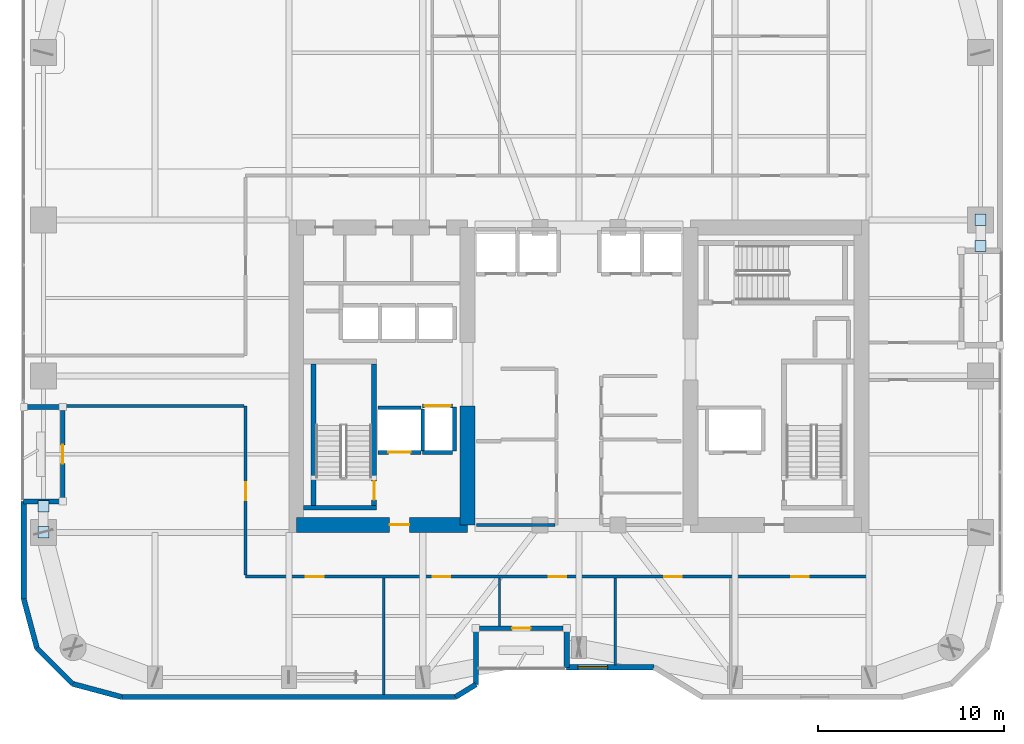
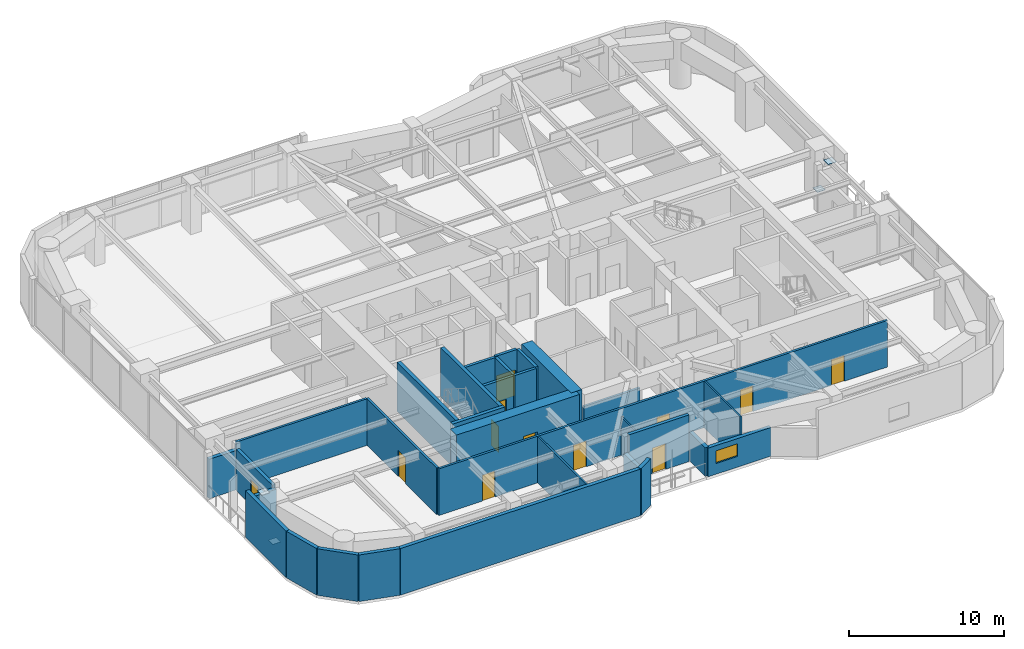
# One storey, part 24 of 30: 31 walls, 12 doors, 4 plates, 1 window, 13 openings.
"""IFC4 building model written with IfcOpenShell, lengths in metres."""

from ifc_helpers import new_model, si_unit, direction, frame, frame_2d, origin, origin_2d, place, context, subcontext, project, spatial, rectangle, extrude, material, layer, layer_set, type_object, element, fill, save


model = new_model("IFC4")

# Units and contexts
model_context = context("Model", 3, precision=1e-05, world=origin(), true_north=direction((0.0, 1.0)))
body_context = subcontext(model_context, "Body", "Model", "MODEL_VIEW")
ifc_project = project(units=[si_unit("LENGTHUNIT", "METRE"), si_unit("AREAUNIT", "SQUARE_METRE"), si_unit("VOLUMEUNIT", "CUBIC_METRE"), si_unit("PLANEANGLEUNIT", "RADIAN"), si_unit("MASSUNIT", "GRAM", prefix="KILO")], contexts=[model_context])

# Site, building, storey
site_placement = place(None, origin())
site = spatial("IfcSite", under=ifc_project, at=site_placement, CompositionType="ELEMENT")
building_placement = place(site_placement, origin())
building = spatial("IfcBuilding", under=site, at=building_placement, Name="Kiyonajd Concourse Tower", CompositionType="ELEMENT")
storey_placement = place(building_placement, frame((0.0, 0.0, 154.5)))
storey = spatial("IfcBuildingStorey", under=building, at=storey_placement, Name="L39", CompositionType="ELEMENT", Elevation=154.5)

# Plates
ifc_material_1 = material(Name="Steel ASTM A572 Grade 50", Category="steel")
ifc_layer_1 = layer(ifc_material_1, 0.028076171875)
ifc_layer_set_1 = layer_set([ifc_layer_1], Name="Steel ASTM A572 Grade 50")
plate_type = type_object("IfcPlateType", Name="PL-CAP-450", PredefinedType="USERDEFINED", material=ifc_layer_set_1)
for number, where, z_axis, x_axis, name in (
    (1, (19.199951171875, 27.595458984375, 0.27587890625), (0.0, 0.0, 1.0), (1.0, 0.0, 0.0), "L39 Hollow Brace End Cap Plate PBW"),
    (2, (19.199951171875, 29.004638671875, 3.326171875), (0.0, 0.0, 1.0), (1.0, 0.0, 0.0), "L39 Hollow Brace Top Cap Plate PBW"),
    (3, (69.60009765625, 44.404541015625, 0.27587890625), (0.0, 0.0, 1.0), (1.0, 0.0, 0.0), "L39 Hollow Brace End Cap Plate PBE"),
    (4, (69.60009765625, 42.995361328125, 3.326171875), (0.0, 0.0, 1.0), (1.0, 0.0, 0.0), "L39 Hollow Brace Top Cap Plate PBE"),
):
    element("IfcPlate", number, at=place(storey_placement, frame(where, z_axis=z_axis, x_axis=x_axis)), inside=storey, type_object=plate_type, Name=name, ObjectType="CAP PLATE", PredefinedType="USERDEFINED", context=body_context, shape_type="SweptSolid", body=[
        extrude(rectangle(XDim=0.60791015625, YDim=0.60791015625, at=origin_2d()), origin(), (0.0, 0.0, 1.0), 0.028076171875),
    ])

# Wall
ifc_material_2 = material(Name="Concrete C70/85", Category="concrete")
ifc_layer_2 = layer(ifc_material_2, 0.800048828125)
ifc_layer_set_2 = layer_set([ifc_layer_2], Name="Concrete C70/85")
wall_type_1 = type_object("IfcWallType", Name="WL-CORE-800", PredefinedType="SHEAR", material=ifc_layer_set_2)
wall_1_placement = place(storey_placement, frame((42.0, 28.0, 0.0), z_axis=(0.0, 0.0, 1.0), x_axis=(0.0, 1.0, 0.0)))
element("IfcWall", 5, at=wall_1_placement, inside=storey, type_object=wall_type_1, Name="L39 West Core Inner South Shear Wall", PredefinedType="SHEAR", context=body_context, shape_type="SweptSolid", body=[
    extrude(rectangle(XDim=6.39990234375, YDim=0.800048828125, at=frame_2d((3.199951171875, 0.0))), origin(), (0.0, 0.0, 1.0), 3.89990234375),
])

# Wall, opening, door
wall_2_placement = place(storey_placement, frame((32.800048828125, 28.0, 0.0), z_axis=(0.0, 0.0, 1.0), x_axis=(1.0, 0.0, 0.0)))
wall_2 = element("IfcWall", 6, at=wall_2_placement, inside=storey, type_object=wall_type_1, Name="L39 West Core South Shear Wall", PredefinedType="SHEAR", context=body_context, shape_type="SweptSolid", body=[
    extrude(rectangle(XDim=9.199951171875, YDim=0.800048828125, at=frame_2d((4.60009765625, 0.0))), origin(), (0.0, 0.0, 1.0), 3.89990234375),
])
opening_1_placement = place(wall_2_placement, frame((5.02490234375, 0.0, 0.0)))
opening_1 = element("IfcOpeningElement", 7, at=opening_1_placement, cuts=wall_2, Name="Opening DF5", PredefinedType="OPENING", context=body_context, shape_type="SweptSolid", body=[
    extrude(rectangle(XDim=1.050048828125, YDim=2.0400390625, at=frame_2d((0.52490234375, 1.02001953125))), frame((0.0, 0.409912109375, 0.0), z_axis=(0.0, -1.0, 0.0), x_axis=(1.0, 0.0, 0.0)), (0.0, 0.0, 1.0), 0.820068359375),
])
ifc_material_3 = material(Name="Brushed Stainless Steel Cab Assembly", Category="steel")
door_type_1 = type_object("IfcDoorType", Name="DR-FD45-1050", OperationType="NOTDEFINED", PredefinedType="DOOR", material=ifc_material_3)
door_1_placement = place(opening_1_placement, origin())
door_1 = element("IfcDoor", 8, at=door_1_placement, inside=storey, type_object=door_type_1, Name="L39 Firefighting Lift Lobby W Smoke Door", OperationType="SINGLE_SWING_LEFT", OverallHeight=2.0400390625, OverallWidth=1.050048828125, PredefinedType="DOOR", context=body_context, shape_type="SweptSolid", body=[
    extrude(rectangle(XDim=1.050048828125, YDim=2.0400390625, at=frame_2d((0.52490234375, 1.02001953125))), frame((0.0, 0.02490234375, 0.0), z_axis=(0.0, -1.0, 0.0), x_axis=(1.0, 0.0, 0.0)), (0.0, 0.0, 1.0), 0.050048828125),
])
fill(opening_1, door_1)

# Walls
ifc_material_4 = material(Name="Precast concrete C50/60", Category="concrete")
ifc_layer_3 = layer(ifc_material_4, 0.280029296875)
ifc_layer_set_3 = layer_set([ifc_layer_3], Name="Precast concrete C50/60")
wall_type_2 = type_object("IfcWallType", Name="WL-EXT-280", PredefinedType="SOLIDWALL", material=ifc_layer_set_3)
wall_3_placement = place(storey_placement, frame((18.848388671875, 21.37255859375, 0.0), z_axis=(0.0, 0.0, 1.0), x_axis=(-0.258672222976, 0.9659651552, 0.0)))
element("IfcWall", 9, at=wall_3_placement, inside=storey, type_object=wall_type_2, Name="L39 Exterior Concrete Frame Wall 00", PredefinedType="SOLIDWALL", context=body_context, shape_type="SweptSolid", body=[
    extrude(rectangle(XDim=2.739013671875, YDim=0.280029296875, at=frame_2d((1.36962890625, 0.0))), origin(), (0.0, 0.0, 1.0), 3.679931640625),
])
wall_4_placement = place(storey_placement, frame((18.139892578125, 24.018310546875, 0.0), z_axis=(0.0, 0.0, 1.0), x_axis=(0.0, 1.0, 0.0)))
element("IfcWall", 10, at=wall_4_placement, inside=storey, type_object=wall_type_2, Name="L39 Exterior Concrete Frame Wall 01", PredefinedType="SOLIDWALL", context=body_context, shape_type="SweptSolid", body=[
    extrude(rectangle(XDim=5.24169921875, YDim=0.280029296875, at=frame_2d((2.620849609375, 0.0))), origin(), (0.0, 0.0, 1.0), 3.679931640625),
])
for number, where, z_axis, x_axis, name in (
    (11, (18.139892578125, 29.260009765625, 0.0), (0.0, 0.0, 1.0), (1.0, 0.0, 0.0), "L39 Exterior Concrete Frame Wall 02"),
    (12, (20.239990234375, 34.340087890625, 0.0), (0.0, 0.0, 1.0), (-1.0, 0.0, 0.0), "L39 Exterior Concrete Frame Wall 04"),
):
    element("IfcWall", number, at=place(storey_placement, frame(where, z_axis=z_axis, x_axis=x_axis)), inside=storey, type_object=wall_type_2, Name=name, PredefinedType="SOLIDWALL", context=body_context, shape_type="SweptSolid", body=[
        extrude(rectangle(XDim=2.10009765625, YDim=0.280029296875, at=frame_2d((1.050048828125, 0.0))), origin(), (0.0, 0.0, 1.0), 3.115966796875),
    ])

# Wall, opening, window
wall_5_placement = place(storey_placement, frame((52.03955078125, 20.340087890625, 0.0), z_axis=(0.0, 0.0, 1.0), x_axis=(-1.0, 0.0, 0.0)))
wall_5 = element("IfcWall", 13, at=wall_5_placement, inside=storey, type_object=wall_type_2, Name="L39 Exterior Concrete Frame Wall 30", PredefinedType="SOLIDWALL", context=body_context, shape_type="SweptSolid", body=[
    extrude(rectangle(XDim=4.699462890625, YDim=0.280029296875, at=frame_2d((2.349609375, 0.0))), origin(), (0.0, 0.0, 1.0), 2.264892578125),
])
opening_2_placement = place(wall_5_placement, frame((2.5, 0.0, 0.85009765625)))
opening_2 = element("IfcOpeningElement", 14, at=opening_2_placement, cuts=wall_5, Name="Opening WN6", PredefinedType="OPENING", context=body_context, shape_type="SweptSolid", body=[
    extrude(rectangle(XDim=1.60009765625, YDim=1.0, at=frame_2d((0.800048828125, 0.5))), frame((0.0, 0.14990234375, 0.0), z_axis=(0.0, -1.0, 0.0), x_axis=(1.0, 0.0, 0.0)), (0.0, 0.0, 1.0), 0.300048828125),
])
ifc_material_5 = material(Name="Double Low-E Insulated Glass", Category="glass")
window_type = type_object("IfcWindowType", Name="WN-VIS-1600x1000", PartitioningType="SINGLE_PANEL", PredefinedType="WINDOW", material=ifc_material_5)
window_placement = place(opening_2_placement, origin())
window = element("IfcWindow", 15, at=window_placement, inside=storey, type_object=window_type, Name="L39 Modular Facade Vision Window 30", OverallHeight=1.0, OverallWidth=1.60009765625, PartitioningType="SINGLE_PANEL", PredefinedType="WINDOW", context=body_context, shape_type="SweptSolid", body=[
    extrude(rectangle(XDim=1.60009765625, YDim=1.0, at=frame_2d((0.800048828125, 0.5))), frame((0.0, 0.030029296875, 0.0), z_axis=(0.0, -1.0, 0.0), x_axis=(1.0, 0.0, 0.0)), (0.0, 0.0, 1.0), 0.06005859375),
])
fill(opening_2, window)

# Walls
wall_6_placement = place(storey_placement, frame((47.340087890625, 20.340087890625, 0.0), z_axis=(0.0, 0.0, 1.0), x_axis=(0.0, 1.0, 0.0)))
element("IfcWall", 16, at=wall_6_placement, inside=storey, type_object=wall_type_2, Name="L39 Exterior Concrete Frame Wall 31", PredefinedType="SOLIDWALL", context=body_context, shape_type="SweptSolid", body=[
    extrude(rectangle(XDim=2.099853515625, YDim=0.280029296875, at=frame_2d((1.0498046875, 0.0))), origin(), (0.0, 0.0, 1.0), 2.264892578125),
])
wall_7_placement = place(storey_placement, frame((42.4599609375, 22.43994140625, 0.0), z_axis=(0.0, 0.0, 1.0), x_axis=(0.0, -1.0, 0.0)))
element("IfcWall", 17, at=wall_7_placement, inside=storey, type_object=wall_type_2, Name="L39 Exterior Concrete Frame Wall 33", PredefinedType="SOLIDWALL", context=body_context, shape_type="SweptSolid", body=[
    extrude(rectangle(XDim=3.023681640625, YDim=0.280029296875, at=frame_2d((1.51171875, 0.0))), origin(), (0.0, 0.0, 1.0), 2.264892578125),
])
wall_8_placement = place(storey_placement, frame((42.4599609375, 19.416259765625, 0.0), z_axis=(0.0, 0.0, 1.0), x_axis=(-0.851801140441, -0.523865266212, 0.0)))
element("IfcWall", 18, at=wall_8_placement, inside=storey, type_object=wall_type_2, Name="L39 Exterior Concrete Frame Wall 34", PredefinedType="SOLIDWALL", context=body_context, shape_type="SweptSolid", body=[
    extrude(rectangle(XDim=1.291015625, YDim=0.280029296875, at=frame_2d((0.6455078125, 0.0))), origin(), (0.0, 0.0, 1.0), 3.679931640625),
])
wall_9_placement = place(storey_placement, frame((41.3603515625, 18.739990234375, 0.0), z_axis=(0.0, 0.0, 1.0), x_axis=(-1.0, 0.0, 0.0)))
element("IfcWall", 19, at=wall_9_placement, inside=storey, type_object=wall_type_2, Name="L39 Exterior Concrete Frame Wall 35", PredefinedType="SOLIDWALL", context=body_context, shape_type="SweptSolid", body=[
    extrude(rectangle(XDim=17.94189453125, YDim=0.280029296875, at=frame_2d((8.970947265625, 0.0))), origin(), (0.0, 0.0, 1.0), 3.679931640625),
])
wall_10_placement = place(storey_placement, frame((23.41845703125, 18.739990234375, 0.0), z_axis=(0.0, 0.0, 1.0), x_axis=(-0.965971118627, 0.258649952598, 0.0)))
element("IfcWall", 20, at=wall_10_placement, inside=storey, type_object=wall_type_2, Name="L39 Exterior Concrete Frame Wall 36", PredefinedType="SOLIDWALL", context=body_context, shape_type="SweptSolid", body=[
    extrude(rectangle(XDim=2.7392578125, YDim=0.280029296875, at=frame_2d((1.36962890625, 0.0))), origin(), (0.0, 0.0, 1.0), 3.679931640625),
])
wall_11_placement = place(storey_placement, frame((20.7724609375, 19.448486328125, 0.0), z_axis=(0.0, 0.0, 1.0), x_axis=(-0.707106781187, 0.707106781187, 0.0)))
element("IfcWall", 21, at=wall_11_placement, inside=storey, type_object=wall_type_2, Name="L39 Exterior Concrete Frame Wall 37", PredefinedType="SOLIDWALL", context=body_context, shape_type="SweptSolid", body=[
    extrude(rectangle(XDim=2.720947265625, YDim=0.280029296875, at=frame_2d((1.3603515625, 0.0))), origin(), (0.0, 0.0, 1.0), 3.679931640625),
])

# Wall, opening, door
ifc_layer_4 = layer(ifc_material_4, 0.239990234375)
ifc_layer_set_4 = layer_set([ifc_layer_4], Name="Precast concrete C50/60")
wall_type_3 = type_object("IfcWallType", Name="WL-LOG-240", PredefinedType="SOLIDWALL", material=ifc_layer_set_4)
wall_12_placement = place(storey_placement, frame((20.239990234375, 29.455078125, 0.0), z_axis=(0.0, 0.0, 1.0), x_axis=(0.0, 1.0, 0.0)))
wall_12 = element("IfcWall", 22, at=wall_12_placement, inside=storey, type_object=wall_type_3, Name="L39 Recessed Loggia Thermal Wall LOG-W", PredefinedType="SOLIDWALL", context=body_context, shape_type="SweptSolid", body=[
    extrude(rectangle(XDim=4.68994140625, YDim=0.239990234375, at=frame_2d((2.344970703125, 0.0))), origin(), (0.0, 0.0, 1.0), 3.248046875),
])
opening_3_placement = place(wall_12_placement, frame((1.844970703125, 0.0, 0.0)))
opening_3 = element("IfcOpeningElement", 23, at=opening_3_placement, cuts=wall_12, Name="Opening DL1", PredefinedType="OPENING", context=body_context, shape_type="SweptSolid", body=[
    extrude(rectangle(XDim=1.0, YDim=2.02001953125, at=frame_2d((0.5, 1.010009765625))), frame((0.0, 0.1298828125, 0.0), z_axis=(0.0, -1.0, 0.0), x_axis=(1.0, 0.0, 0.0)), (0.0, 0.0, 1.0), 0.260009765625),
])
ifc_material_6 = material(Name="Thermally Broken Anodised Aluminium", Category="aluminium")
door_type_2 = type_object("IfcDoorType", Name="DR-LOG-1000", OperationType="NOTDEFINED", PredefinedType="DOOR", material=ifc_material_6)
door_2_placement = place(opening_3_placement, origin())
door_2 = element("IfcDoor", 24, at=door_2_placement, inside=storey, type_object=door_type_2, Name="L39 Engawa Loggia Access Door LOG-W", OperationType="SINGLE_SWING_LEFT", OverallHeight=2.02001953125, OverallWidth=1.0, PredefinedType="DOOR", context=body_context, shape_type="SweptSolid", body=[
    extrude(rectangle(XDim=1.0, YDim=2.02001953125, at=frame_2d((0.5, 1.010009765625))), frame((0.0, 0.02490234375, 0.0), z_axis=(0.0, -1.0, 0.0), x_axis=(1.0, 0.0, 0.0)), (0.0, 0.0, 1.0), 0.050048828125),
])
fill(opening_3, door_2)

wall_13_placement = place(storey_placement, frame((47.14501953125, 22.43994140625, 0.0), z_axis=(0.0, 0.0, 1.0), x_axis=(-1.0, 0.0, 0.0)))
wall_13 = element("IfcWall", 25, at=wall_13_placement, inside=storey, type_object=wall_type_3, Name="L39 Recessed Loggia Thermal Wall LOG-S", PredefinedType="SOLIDWALL", context=body_context, shape_type="SweptSolid", body=[
    extrude(rectangle(XDim=4.489990234375, YDim=0.239990234375, at=frame_2d((2.2451171875, 0.0))), origin(), (0.0, 0.0, 1.0), 3.679931640625),
])
opening_4_placement = place(wall_13_placement, frame((1.7451171875, 0.0, 0.0)))
opening_4 = element("IfcOpeningElement", 26, at=opening_4_placement, cuts=wall_13, Name="Opening DL1", PredefinedType="OPENING", context=body_context, shape_type="SweptSolid", body=[
    extrude(rectangle(XDim=1.0, YDim=2.02001953125, at=frame_2d((0.5, 1.010009765625))), frame((0.0, 0.1298828125, 0.0), z_axis=(0.0, -1.0, 0.0), x_axis=(1.0, 0.0, 0.0)), (0.0, 0.0, 1.0), 0.260009765625),
])
door_3_placement = place(opening_4_placement, origin())
door_3 = element("IfcDoor", 27, at=door_3_placement, inside=storey, type_object=door_type_2, Name="L39 Engawa Loggia Access Door LOG-S", OperationType="SINGLE_SWING_RIGHT", OverallHeight=2.02001953125, OverallWidth=1.0, PredefinedType="DOOR", context=body_context, shape_type="SweptSolid", body=[
    extrude(rectangle(XDim=1.0, YDim=2.02001953125, at=frame_2d((0.5, 1.010009765625))), frame((0.0, 0.02490234375, 0.0), z_axis=(0.0, -1.0, 0.0), x_axis=(1.0, 0.0, 0.0)), (0.0, 0.0, 1.0), 0.050048828125),
])
fill(opening_4, door_3)

# Walls
ifc_material_7 = material(Name="Gypsum Board on Cold-Formed Steel Stud", Category="steel")
ifc_layer_5 = layer(ifc_material_7, 0.125)
ifc_layer_set_5 = layer_set([ifc_layer_5], Name="Gypsum Board on Cold-Formed Steel Stud")
wall_type_4 = type_object("IfcWallType", Name="WL-PART-125", PredefinedType="PARTITIONING", material=ifc_layer_set_5)
wall_14_placement = place(storey_placement, frame((37.5, 18.875, 0.0), z_axis=(0.0, 0.0, 1.0), x_axis=(0.0, 1.0, 0.0)))
element("IfcWall", 28, at=wall_14_placement, inside=storey, type_object=wall_type_4, Name="L39 Interior Partition Wall", PredefinedType="PARTITIONING", context=body_context, shape_type="SweptSolid", body=[
    extrude(rectangle(XDim=6.258056640625, YDim=0.125, at=frame_2d((3.12890625, 0.0))), origin(), (0.0, 0.0, 1.0), 3.679931640625),
])
wall_15_placement = place(storey_placement, frame((43.72998046875, 22.554931640625, 0.0), z_axis=(0.0, 0.0, 1.0), x_axis=(0.0, 1.0, 0.0)))
element("IfcWall", 29, at=wall_15_placement, inside=storey, type_object=wall_type_4, Name="L39 Interior Partition Wall", PredefinedType="PARTITIONING", context=body_context, shape_type="SweptSolid", body=[
    extrude(rectangle(XDim=2.578125, YDim=0.125, at=frame_2d((1.2890625, 0.0))), origin(), (0.0, 0.0, 1.0), 3.04296875),
])
wall_16_placement = place(storey_placement, frame((49.949951171875, 20.47509765625, 0.0), z_axis=(0.0, 0.0, 1.0), x_axis=(0.0, 1.0, 0.0)))
element("IfcWall", 30, at=wall_16_placement, inside=storey, type_object=wall_type_4, Name="L39 Interior Partition Wall", PredefinedType="PARTITIONING", context=body_context, shape_type="SweptSolid", body=[
    extrude(rectangle(XDim=4.657958984375, YDim=0.125, at=frame_2d((2.3291015625, 0.0))), origin(), (0.0, 0.0, 1.0), 3.679931640625),
])

# Wall, opening, door
ifc_layer_6 = layer(ifc_material_7, 0.2099609375)
ifc_layer_set_6 = layer_set([ifc_layer_6], Name="Gypsum Board on Cold-Formed Steel Stud")
wall_type_5 = type_object("IfcWallType", Name="WL-SHAFT-210", PredefinedType="PARTITIONING", material=ifc_layer_set_6)
wall_17_placement = place(storey_placement, frame((37.199951171875, 31.89990234375, 0.0), z_axis=(0.0, 0.0, 1.0), x_axis=(1.0, 0.0, 0.0)))
wall_17 = element("IfcWall", 31, at=wall_17_placement, inside=storey, type_object=wall_type_5, Name="L39 Shaft Enclosure Wall", PredefinedType="PARTITIONING", context=body_context, shape_type="SweptSolid", body=[
    extrude(rectangle(XDim=2.300048828125, YDim=0.2099609375, at=frame_2d((1.14990234375, 0.0))), origin(), (0.0, 0.0, 1.0), 3.679931640625),
])
opening_5_placement = place(wall_17_placement, frame((0.550048828125, 0.0, 0.0)))
opening_5 = element("IfcOpeningElement", 32, at=opening_5_placement, cuts=wall_17, Name="Opening LD2", PredefinedType="OPENING", context=body_context, shape_type="SweptSolid", body=[
    extrude(rectangle(XDim=1.199951171875, YDim=2.0400390625, at=frame_2d((0.60009765625, 1.02001953125))), frame((0.0, 0.114990234375, 0.0), z_axis=(0.0, -1.0, 0.0), x_axis=(1.0, 0.0, 0.0)), (0.0, 0.0, 1.0), 0.22998046875),
])
door_type_3 = type_object("IfcDoorType", Name="DR-LD-1200", OperationType="DOUBLE_DOOR_SLIDING", PredefinedType="DOOR", material=ifc_material_3)
door_4_placement = place(opening_5_placement, origin())
door_4 = element("IfcDoor", 33, at=door_4_placement, inside=storey, type_object=door_type_3, Name="L39 Lift FFL1 Sliding Landing Door", OperationType="DOUBLE_DOOR_SLIDING", OverallHeight=2.0400390625, OverallWidth=1.199951171875, PredefinedType="DOOR", context=body_context, shape_type="SweptSolid", body=[
    extrude(rectangle(XDim=1.199951171875, YDim=2.0400390625, at=frame_2d((0.60009765625, 1.02001953125))), frame((0.0, 0.02490234375, 0.0), z_axis=(0.0, -1.0, 0.0), x_axis=(1.0, 0.0, 0.0)), (0.0, 0.0, 1.0), 0.050048828125),
])
fill(opening_5, door_4)

# Walls
wall_18_placement = place(storey_placement, frame((37.199951171875, 34.300048828125, 0.0), z_axis=(0.0, 0.0, 1.0), x_axis=(1.0, 0.0, 0.0)))
element("IfcWall", 34, at=wall_18_placement, inside=storey, type_object=wall_type_5, Name="L39 Shaft Enclosure Wall", PredefinedType="PARTITIONING", context=body_context, shape_type="SweptSolid", body=[
    extrude(rectangle(XDim=2.300048828125, YDim=0.2099609375, at=frame_2d((1.14990234375, 0.0))), origin(), (0.0, 0.0, 1.0), 3.679931640625),
])
wall_19_placement = place(storey_placement, frame((39.60009765625, 31.9599609375, 0.0), z_axis=(0.0, 0.0, 1.0), x_axis=(0.0, 1.0, 0.0)))
element("IfcWall", 35, at=wall_19_placement, inside=storey, type_object=wall_type_5, Name="L39 Shaft Enclosure Wall", PredefinedType="PARTITIONING", context=body_context, shape_type="SweptSolid", body=[
    extrude(rectangle(XDim=2.280029296875, YDim=0.2099609375, at=frame_2d((1.14013671875, 0.0))), origin(), (0.0, 0.0, 1.0), 3.679931640625),
])

# Wall, opening, door
wall_20_placement = place(storey_placement, frame((39.60009765625, 34.39990234375, 0.0), z_axis=(0.0, 0.0, 1.0), x_axis=(1.0, 0.0, 0.0)))
wall_20 = element("IfcWall", 36, at=wall_20_placement, inside=storey, type_object=wall_type_5, Name="L39 Shaft Enclosure Wall", PredefinedType="PARTITIONING", context=body_context, shape_type="SweptSolid", body=[
    extrude(rectangle(XDim=1.599853515625, YDim=0.2099609375, at=frame_2d((0.7998046875, 0.0))), origin(), (0.0, 0.0, 1.0), 3.679931640625),
])
opening_6_placement = place(wall_20_placement, frame((0.10009765625, 0.0, 0.0)))
opening_6 = element("IfcOpeningElement", 37, at=opening_6_placement, cuts=wall_20, Name="Opening LD3", PredefinedType="OPENING", context=body_context, shape_type="SweptSolid", body=[
    extrude(rectangle(XDim=1.39990234375, YDim=2.06005859375, at=frame_2d((0.699951171875, 1.030029296875))), frame((0.0, 0.114990234375, 0.0), z_axis=(0.0, -1.0, 0.0), x_axis=(1.0, 0.0, 0.0)), (0.0, 0.0, 1.0), 0.22998046875),
])
door_type_4 = type_object("IfcDoorType", Name="DR-LD-1400", OperationType="DOUBLE_DOOR_SLIDING", PredefinedType="DOOR", material=ifc_material_3)
door_5_placement = place(opening_6_placement, origin())
door_5 = element("IfcDoor", 38, at=door_5_placement, inside=storey, type_object=door_type_4, Name="L39 Lift SVL1 Sliding Landing Door", OperationType="DOUBLE_DOOR_SLIDING", OverallHeight=2.06005859375, OverallWidth=1.39990234375, PredefinedType="DOOR", context=body_context, shape_type="SweptSolid", body=[
    extrude(rectangle(XDim=1.39990234375, YDim=2.06005859375, at=frame_2d((0.699951171875, 1.030029296875))), frame((0.0, 0.02490234375, 0.0), z_axis=(0.0, -1.0, 0.0), x_axis=(1.0, 0.0, 0.0)), (0.0, 0.0, 1.0), 0.050048828125),
])
fill(opening_6, door_5)

# Walls
wall_21_placement = place(storey_placement, frame((39.60009765625, 31.89990234375, 0.0), z_axis=(0.0, 0.0, 1.0), x_axis=(1.0, 0.0, 0.0)))
element("IfcWall", 39, at=wall_21_placement, inside=storey, type_object=wall_type_5, Name="L39 Shaft Enclosure Wall", PredefinedType="PARTITIONING", context=body_context, shape_type="SweptSolid", body=[
    extrude(rectangle(XDim=1.599853515625, YDim=0.2099609375, at=frame_2d((0.7998046875, 0.0))), origin(), (0.0, 0.0, 1.0), 3.679931640625),
])
wall_22_placement = place(storey_placement, frame((41.300048828125, 31.9599609375, 0.0), z_axis=(0.0, 0.0, 1.0), x_axis=(0.0, 1.0, 0.0)))
element("IfcWall", 40, at=wall_22_placement, inside=storey, type_object=wall_type_5, Name="L39 Shaft Enclosure Wall", PredefinedType="PARTITIONING", context=body_context, shape_type="SweptSolid", body=[
    extrude(rectangle(XDim=2.380126953125, YDim=0.2099609375, at=frame_2d((1.18994140625, 0.0))), origin(), (0.0, 0.0, 1.0), 3.679931640625),
])
ifc_layer_7 = layer(ifc_material_7, 0.169921875)
ifc_layer_set_7 = layer_set([ifc_layer_7], Name="Gypsum Board on Cold-Formed Steel Stud")
wall_type_6 = type_object("IfcWallType", Name="WL-SMK-170", PredefinedType="PARTITIONING", material=ifc_layer_set_7)
wall_23_placement = place(storey_placement, frame((42.5, 28.0, 0.0), z_axis=(0.0, 0.0, 1.0), x_axis=(1.0, 0.0, 0.0)))
element("IfcWall", 41, at=wall_23_placement, inside=storey, type_object=wall_type_6, Name="L39 Interior Partition Wall", PredefinedType="PARTITIONING", context=body_context, shape_type="SweptSolid", body=[
    extrude(rectangle(XDim=4.212890625, YDim=0.169921875, at=frame_2d((2.1064453125, 0.0))), origin(), (0.0, 0.0, 1.0), 2.56494140625),
])

# Wall, openings, doors
wall_24_placement = place(storey_placement, frame((30.074951171875, 25.219970703125, 0.0), z_axis=(0.0, 0.0, 1.0), x_axis=(1.0, 0.0, 0.0)))
wall_24 = element("IfcWall", 42, at=wall_24_placement, inside=storey, type_object=wall_type_6, Name="L39 Interior Partition Wall", PredefinedType="PARTITIONING", context=body_context, shape_type="SweptSolid", body=[
    extrude(rectangle(XDim=33.525146484375, YDim=0.169921875, at=frame_2d((16.7626953125, 0.0))), origin(), (0.0, 0.0, 1.0), 3.679931640625),
])
opening_7_placement = place(wall_24_placement, frame((3.238037109375, 0.0, 0.0)))
opening_7 = element("IfcOpeningElement", 43, at=opening_7_placement, cuts=wall_24, Name="Opening DI1", PredefinedType="OPENING", context=body_context, shape_type="SweptSolid", body=[
    extrude(rectangle(XDim=0.949951171875, YDim=2.0400390625, at=frame_2d((0.47509765625, 1.02001953125))), frame((0.0, 0.094970703125, 0.0), z_axis=(0.0, -1.0, 0.0), x_axis=(1.0, 0.0, 0.0)), (0.0, 0.0, 1.0), 0.18994140625),
])
opening_8_placement = place(wall_24_placement, frame((10.06494140625, 0.0, 0.0)))
opening_8 = element("IfcOpeningElement", 44, at=opening_8_placement, cuts=wall_24, Name="Opening DI1", PredefinedType="OPENING", context=body_context, shape_type="SweptSolid", body=[
    extrude(rectangle(XDim=0.949951171875, YDim=2.0400390625, at=frame_2d((0.47509765625, 1.02001953125))), frame((0.0, 0.094970703125, 0.0), z_axis=(0.0, -1.0, 0.0), x_axis=(1.0, 0.0, 0.0)), (0.0, 0.0, 1.0), 0.18994140625),
])
opening_9_placement = place(wall_24_placement, frame((16.2900390625, 0.0, 0.0)))
opening_9 = element("IfcOpeningElement", 45, at=opening_9_placement, cuts=wall_24, Name="Opening DI1", PredefinedType="OPENING", context=body_context, shape_type="SweptSolid", body=[
    extrude(rectangle(XDim=0.949951171875, YDim=2.0400390625, at=frame_2d((0.47509765625, 1.02001953125))), frame((0.0, 0.094970703125, 0.0), z_axis=(0.0, -1.0, 0.0), x_axis=(1.0, 0.0, 0.0)), (0.0, 0.0, 1.0), 0.18994140625),
])
opening_10_placement = place(wall_24_placement, frame((22.510009765625, 0.0, 0.0)))
opening_10 = element("IfcOpeningElement", 46, at=opening_10_placement, cuts=wall_24, Name="Opening DI1", PredefinedType="OPENING", context=body_context, shape_type="SweptSolid", body=[
    extrude(rectangle(XDim=0.949951171875, YDim=2.0400390625, at=frame_2d((0.47509765625, 1.02001953125))), frame((0.0, 0.094970703125, 0.0), z_axis=(0.0, -1.0, 0.0), x_axis=(1.0, 0.0, 0.0)), (0.0, 0.0, 1.0), 0.18994140625),
])
opening_11_placement = place(wall_24_placement, frame((29.3349609375, 0.0, 0.0)))
opening_11 = element("IfcOpeningElement", 47, at=opening_11_placement, cuts=wall_24, Name="Opening DI1", PredefinedType="OPENING", context=body_context, shape_type="SweptSolid", body=[
    extrude(rectangle(XDim=0.949951171875, YDim=2.0400390625, at=frame_2d((0.47509765625, 1.02001953125))), frame((0.0, 0.094970703125, 0.0), z_axis=(0.0, -1.0, 0.0), x_axis=(1.0, 0.0, 0.0)), (0.0, 0.0, 1.0), 0.18994140625),
])
ifc_material_8 = material(Name="Natural Oak Acoustic Timber Veneer", Category="wood")
door_type_5 = type_object("IfcDoorType", Name="DR-INT-950", OperationType="NOTDEFINED", PredefinedType="DOOR", material=ifc_material_8)
door_6_placement = place(opening_7_placement, origin())
door_6 = element("IfcDoor", 48, at=door_6_placement, inside=storey, type_object=door_type_5, Name="L39 Interior Door", OperationType="SINGLE_SWING_LEFT", OverallHeight=2.0400390625, OverallWidth=0.949951171875, PredefinedType="DOOR", context=body_context, shape_type="SweptSolid", body=[
    extrude(rectangle(XDim=0.949951171875, YDim=2.0400390625, at=frame_2d((0.47509765625, 1.02001953125))), frame((0.0, 0.02490234375, 0.0), z_axis=(0.0, -1.0, 0.0), x_axis=(1.0, 0.0, 0.0)), (0.0, 0.0, 1.0), 0.050048828125),
])
fill(opening_7, door_6)
door_7_placement = place(opening_8_placement, origin())
door_7 = element("IfcDoor", 49, at=door_7_placement, inside=storey, type_object=door_type_5, Name="L39 Interior Door", OperationType="SINGLE_SWING_RIGHT", OverallHeight=2.0400390625, OverallWidth=0.949951171875, PredefinedType="DOOR", context=body_context, shape_type="SweptSolid", body=[
    extrude(rectangle(XDim=0.949951171875, YDim=2.0400390625, at=frame_2d((0.47509765625, 1.02001953125))), frame((0.0, 0.02490234375, 0.0), z_axis=(0.0, -1.0, 0.0), x_axis=(1.0, 0.0, 0.0)), (0.0, 0.0, 1.0), 0.050048828125),
])
fill(opening_8, door_7)
door_8_placement = place(opening_9_placement, origin())
door_8 = element("IfcDoor", 50, at=door_8_placement, inside=storey, type_object=door_type_5, Name="L39 Interior Door", OperationType="SINGLE_SWING_LEFT", OverallHeight=2.0400390625, OverallWidth=0.949951171875, PredefinedType="DOOR", context=body_context, shape_type="SweptSolid", body=[
    extrude(rectangle(XDim=0.949951171875, YDim=2.0400390625, at=frame_2d((0.47509765625, 1.02001953125))), frame((0.0, 0.02490234375, 0.0), z_axis=(0.0, -1.0, 0.0), x_axis=(1.0, 0.0, 0.0)), (0.0, 0.0, 1.0), 0.050048828125),
])
fill(opening_9, door_8)
door_9_placement = place(opening_10_placement, origin())
door_9 = element("IfcDoor", 51, at=door_9_placement, inside=storey, type_object=door_type_5, Name="L39 Interior Door", OperationType="SINGLE_SWING_RIGHT", OverallHeight=2.0400390625, OverallWidth=0.949951171875, PredefinedType="DOOR", context=body_context, shape_type="SweptSolid", body=[
    extrude(rectangle(XDim=0.949951171875, YDim=2.0400390625, at=frame_2d((0.47509765625, 1.02001953125))), frame((0.0, 0.02490234375, 0.0), z_axis=(0.0, -1.0, 0.0), x_axis=(1.0, 0.0, 0.0)), (0.0, 0.0, 1.0), 0.050048828125),
])
fill(opening_10, door_9)
door_10_placement = place(opening_11_placement, origin())
door_10 = element("IfcDoor", 52, at=door_10_placement, inside=storey, type_object=door_type_5, Name="L39 Interior Door", OperationType="SINGLE_SWING_LEFT", OverallHeight=2.0400390625, OverallWidth=0.949951171875, PredefinedType="DOOR", context=body_context, shape_type="SweptSolid", body=[
    extrude(rectangle(XDim=0.949951171875, YDim=2.0400390625, at=frame_2d((0.47509765625, 1.02001953125))), frame((0.0, 0.02490234375, 0.0), z_axis=(0.0, -1.0, 0.0), x_axis=(1.0, 0.0, 0.0)), (0.0, 0.0, 1.0), 0.050048828125),
])
fill(opening_11, door_10)

# Wall, opening, door
wall_25_placement = place(storey_placement, frame((30.074951171875, 25.306884765625, 0.0), z_axis=(0.0, 0.0, 1.0), x_axis=(0.0, 1.0, 0.0)))
wall_25 = element("IfcWall", 53, at=wall_25_placement, inside=storey, type_object=wall_type_6, Name="L39 Interior Partition Wall", PredefinedType="PARTITIONING", context=body_context, shape_type="SweptSolid", body=[
    extrude(rectangle(XDim=9.093017578125, YDim=0.169921875, at=frame_2d((4.54638671875, 0.0))), origin(), (0.0, 0.0, 1.0), 3.679931640625),
])
opening_12_placement = place(wall_25_placement, frame((4.028076171875, 0.0, 0.0)))
opening_12 = element("IfcOpeningElement", 54, at=opening_12_placement, cuts=wall_25, Name="Opening DI1", PredefinedType="OPENING", context=body_context, shape_type="SweptSolid", body=[
    extrude(rectangle(XDim=0.949951171875, YDim=2.0400390625, at=frame_2d((0.47509765625, 1.02001953125))), frame((0.0, 0.094970703125, 0.0), z_axis=(0.0, -1.0, 0.0), x_axis=(1.0, 0.0, 0.0)), (0.0, 0.0, 1.0), 0.18994140625),
])
door_11_placement = place(opening_12_placement, origin())
door_11 = element("IfcDoor", 55, at=door_11_placement, inside=storey, type_object=door_type_5, Name="L39 Interior Door", OperationType="SINGLE_SWING_LEFT", OverallHeight=2.0400390625, OverallWidth=0.949951171875, PredefinedType="DOOR", context=body_context, shape_type="SweptSolid", body=[
    extrude(rectangle(XDim=0.949951171875, YDim=2.0400390625, at=frame_2d((0.47509765625, 1.02001953125))), frame((0.0, 0.02490234375, 0.0), z_axis=(0.0, -1.0, 0.0), x_axis=(1.0, 0.0, 0.0)), (0.0, 0.0, 1.0), 0.050048828125),
])
fill(opening_12, door_11)

# Walls
wall_26_placement = place(storey_placement, frame((20.239990234375, 34.39990234375, 0.0), z_axis=(0.0, 0.0, 1.0), x_axis=(1.0, 0.0, 0.0)))
element("IfcWall", 56, at=wall_26_placement, inside=storey, type_object=wall_type_6, Name="L39 Interior Partition Wall", PredefinedType="PARTITIONING", context=body_context, shape_type="SweptSolid", body=[
    extrude(rectangle(XDim=9.748046875, YDim=0.169921875, at=frame_2d((4.8740234375, 0.0))), origin(), (0.0, 0.0, 1.0), 3.679931640625),
])
ifc_material_9 = material(Name="Concrete C50/60", Category="concrete")
ifc_layer_8 = layer(ifc_material_9, 0.260009765625)
ifc_layer_set_8 = layer_set([ifc_layer_8], Name="Concrete C50/60")
wall_type_7 = type_object("IfcWallType", Name="WL-STAIR-260", PredefinedType="SHEAR", material=ifc_layer_set_8)
wall_27_placement = place(storey_placement, frame((33.199951171875, 28.919921875, 0.0), z_axis=(0.0, 0.0, 1.0), x_axis=(1.0, 0.0, 0.0)))
element("IfcWall", 57, at=wall_27_placement, inside=storey, type_object=wall_type_7, Name="L39 Stair ST1 Structural South Wall", PredefinedType="SHEAR", context=body_context, shape_type="SweptSolid", body=[
    extrude(rectangle(XDim=3.91015625, YDim=0.260009765625, at=frame_2d((1.955078125, 0.0))), origin(), (0.0, 0.0, 1.0), 3.89990234375),
])
wall_28_placement = place(storey_placement, frame((33.719970703125, 29.050048828125, 0.0), z_axis=(0.0, 0.0, 1.0), x_axis=(0.0, 1.0, 0.0)))
element("IfcWall", 58, at=wall_28_placement, inside=storey, type_object=wall_type_7, Name="L39 Stair ST1 Structural West Wall", PredefinedType="SHEAR", context=body_context, shape_type="SweptSolid", body=[
    extrude(rectangle(XDim=7.599853515625, YDim=0.260009765625, at=frame_2d((3.7998046875, 0.0))), origin(), (0.0, 0.0, 1.0), 3.89990234375),
])

# Wall, opening, door
wall_29_placement = place(storey_placement, frame((36.97998046875, 29.050048828125, 0.0), z_axis=(0.0, 0.0, 1.0), x_axis=(0.0, 1.0, 0.0)))
wall_29 = element("IfcWall", 59, at=wall_29_placement, inside=storey, type_object=wall_type_7, Name="L39 Stair ST1 Structural East Wall", PredefinedType="SHEAR", context=body_context, shape_type="SweptSolid", body=[
    extrude(rectangle(XDim=7.599853515625, YDim=0.260009765625, at=frame_2d((3.7998046875, 0.0))), origin(), (0.0, 0.0, 1.0), 3.89990234375),
])
opening_13_placement = place(wall_29_placement, frame((0.300048828125, 0.0, 0.0)))
opening_13 = element("IfcOpeningElement", 60, at=opening_13_placement, cuts=wall_29, Name="Opening DF1", PredefinedType="OPENING", context=body_context, shape_type="SweptSolid", body=[
    extrude(rectangle(XDim=1.0, YDim=2.0400390625, at=frame_2d((0.5, 1.02001953125))), frame((0.0, 0.139892578125, 0.0), z_axis=(0.0, -1.0, 0.0), x_axis=(1.0, 0.0, 0.0)), (0.0, 0.0, 1.0), 0.280029296875),
])
door_type_6 = type_object("IfcDoorType", Name="DR-FD90-1000", OperationType="NOTDEFINED", PredefinedType="DOOR", material=ifc_material_3)
door_12_placement = place(opening_13_placement, origin())
door_12 = element("IfcDoor", 61, at=door_12_placement, inside=storey, type_object=door_type_6, Name="L39 Stair ST1 FSAE Door", OperationType="SINGLE_SWING_LEFT", OverallHeight=2.0400390625, OverallWidth=1.0, PredefinedType="DOOR", context=body_context, shape_type="SweptSolid", body=[
    extrude(rectangle(XDim=1.0, YDim=2.0400390625, at=frame_2d((0.5, 1.02001953125))), frame((0.0, 0.02490234375, 0.0), z_axis=(0.0, -1.0, 0.0), x_axis=(1.0, 0.0, 0.0)), (0.0, 0.0, 1.0), 0.050048828125),
])
fill(opening_13, door_12)

save(model, "model.ifc")
